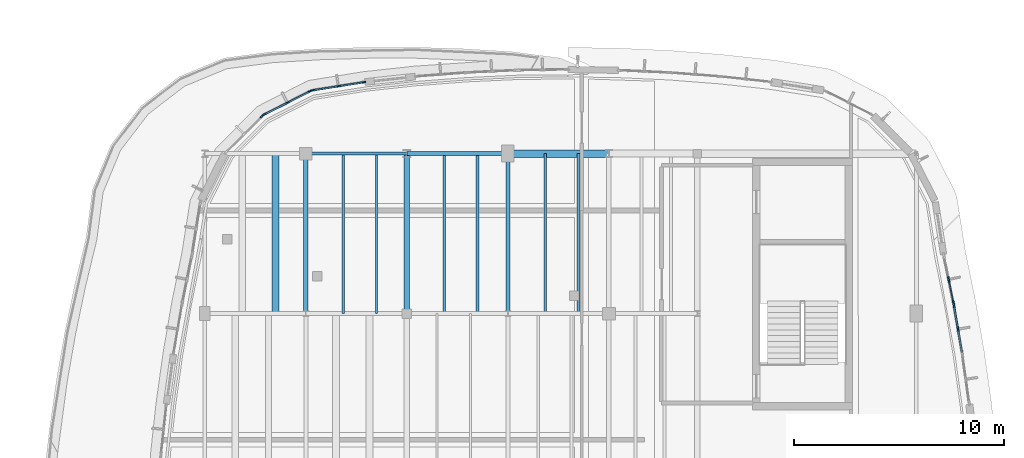
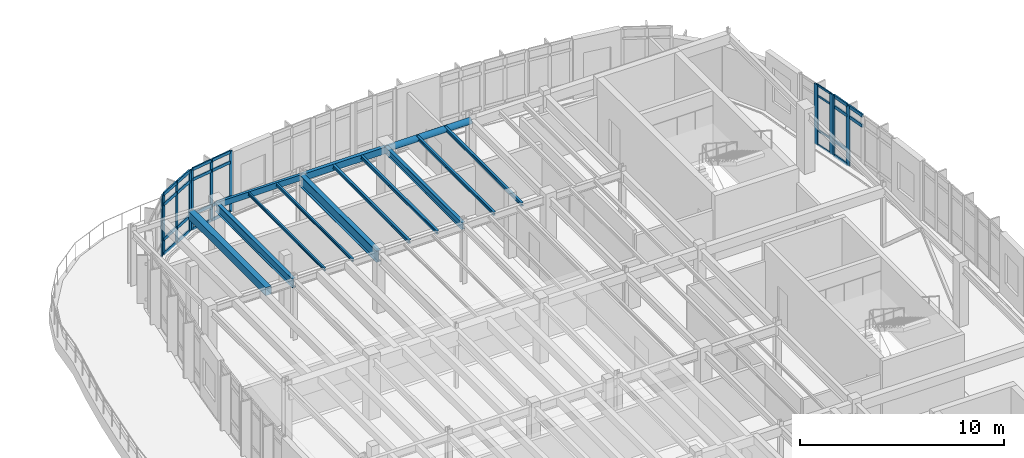
# One storey, part 54 of 111: 37 members, 13 beams, 5 elements without a shape of their own.
"""IFC4 building model written with IfcOpenShell, lengths in metres."""

from ifc_helpers import new_model, si_unit, direction, frame, origin, origin_2d, place, context, subcontext, project, spatial, rectangle, hollow_rectangle, hollow_circle, i_section, extrude, material, material_profile, profile_set, type_object, element, aggregate, save


model = new_model("IFC4")

# Units and contexts
model_context = context("Model", 3, precision=1e-05, world=origin(), true_north=direction((0.0, 1.0)))
body_context = subcontext(model_context, "Body", "Model", "MODEL_VIEW")
ifc_project = project(units=[si_unit("LENGTHUNIT", "METRE"), si_unit("AREAUNIT", "SQUARE_METRE"), si_unit("VOLUMEUNIT", "CUBIC_METRE"), si_unit("PLANEANGLEUNIT", "RADIAN"), si_unit("MASSUNIT", "GRAM", prefix="KILO")], contexts=[model_context])

# Site, building, storey
site_placement = place(None, origin())
site = spatial("IfcSite", under=ifc_project, at=site_placement, CompositionType="ELEMENT")
building_placement = place(site_placement, origin())
building = spatial("IfcBuilding", under=site, at=building_placement, Name="Corveleigh Park Community Centre", CompositionType="ELEMENT")
storey_placement = place(building_placement, frame((0.0, 0.0, 4.800048828125)))
storey = spatial("IfcBuildingStorey", under=building, at=storey_placement, Name="L01", CompositionType="ELEMENT", Elevation=4.800048828125)

# Beams
ifc_material_1 = material(Name="Concrete C40/50", Category="concrete")
ifc_material_profile_1 = material_profile(ifc_material_1, rectangle(XDim=0.324951171875, YDim=0.47509765625, at=origin_2d()), Name="RC-325x475", Category="concrete")
ifc_profile_set_1 = profile_set([ifc_material_profile_1], Name="Concrete C40/50")
beam_type_1 = type_object("IfcBeamType", Name="BM-RC-325x475", PredefinedType="JOIST", material=ifc_profile_set_1)
beam_1_placement = place(storey_placement, frame((137.9599609375, 96.60498046875, 3.37451171875), z_axis=(0.0, 1.0, 0.0), x_axis=(-1.0, 0.0, 0.0)))
element("IfcBeam", 1, at=beam_1_placement, inside=storey, type_object=beam_type_1, Name="Secondary floor joist", PredefinedType="JOIST", context=body_context, shape_type="SweptSolid", body=[
    extrude(rectangle(XDim=0.324951171875, YDim=0.47509765625, at=origin_2d()), origin(), (0.0, 0.0, 1.0), 7.590087890625),
])
ifc_material_2 = material(Name="Steel S355", Category="steel")
ifc_material_profile_2 = material_profile(ifc_material_2, i_section(OverallWidth=0.101318359375, OverallDepth=0.177734375, WebThickness=0.0048828125, FlangeThickness=0.0078125, at=origin_2d()), Name="UKB 178x102x19", Category="steel")
ifc_profile_set_2 = profile_set([ifc_material_profile_2], Name="Steel S355")
beam_type_2 = type_object("IfcBeamType", Name="BM-STL-UKB178x19", PredefinedType="JOIST", material=ifc_profile_set_2)
for number, where, z_axis, x_axis, name in (
    (2, (141.176025390625, 96.60498046875, 3.52294921875), (0.0, 1.0, 0.0), (-1.0, 0.0, 0.0), "Secondary floor joist"),
    (3, (142.760009765625, 96.60498046875, 3.52294921875), (0.0, 1.0, 0.0), (-1.0, 0.0, 0.0), "Secondary floor joist"),
):
    element("IfcBeam", number, at=place(storey_placement, frame(where, z_axis=z_axis, x_axis=x_axis)), inside=storey, type_object=beam_type_2, Name=name, PredefinedType="JOIST", context=body_context, shape_type="SweptSolid", body=[
        extrude(i_section(OverallWidth=0.101318359375, OverallDepth=0.177734375, WebThickness=0.0048828125, FlangeThickness=0.0078125, at=origin_2d()), origin(), (0.0, 0.0, 1.0), 7.590087890625),
    ])
ifc_material_profile_3 = material_profile(ifc_material_2, i_section(OverallWidth=0.13330078125, OverallDepth=0.203125, WebThickness=0.005615234375, FlangeThickness=0.0078125, at=origin_2d()), Name="UKB 203x133x25", Category="steel")
ifc_profile_set_3 = profile_set([ifc_material_profile_3], Name="Steel S355")
beam_type_3 = type_object("IfcBeamType", Name="BM-STL-UKB203x25", PredefinedType="JOIST", material=ifc_profile_set_3)
for number, where, z_axis, x_axis, name in (
    (4, (145.97607421875, 96.60498046875, 3.51025390625), (0.0, 1.0, 0.0), (-1.0, 0.0, 0.0), "Secondary floor joist"),
    (5, (147.56005859375, 96.60498046875, 3.51025390625), (0.0, 1.0, 0.0), (-1.0, 0.0, 0.0), "Secondary floor joist"),
):
    element("IfcBeam", number, at=place(storey_placement, frame(where, z_axis=z_axis, x_axis=x_axis)), inside=storey, type_object=beam_type_3, Name=name, PredefinedType="JOIST", context=body_context, shape_type="SweptSolid", body=[
        extrude(i_section(OverallWidth=0.13330078125, OverallDepth=0.203125, WebThickness=0.005615234375, FlangeThickness=0.0078125, at=origin_2d()), origin(), (0.0, 0.0, 1.0), 7.590087890625),
    ])
ifc_material_profile_4 = material_profile(ifc_material_2, i_section(OverallWidth=0.1337890625, OverallDepth=0.206787109375, WebThickness=0.00634765625, FlangeThickness=0.009521484375, at=origin_2d()), Name="UKB 203x133x30", Category="steel")
ifc_profile_set_4 = profile_set([ifc_material_profile_4], Name="Steel S355")
beam_type_4 = type_object("IfcBeamType", Name="BM-STL-UKB203x30", PredefinedType="JOIST", material=ifc_profile_set_4)
for number, where, z_axis, x_axis, name in (
    (6, (150.77587890625, 96.60498046875, 3.508544921875), (0.0, 1.0, 0.0), (-1.0, 0.0, 0.0), "Secondary floor joist"),
    (7, (152.360107421875, 96.60498046875, 3.508544921875), (0.0, 1.0, 0.0), (-1.0, 0.0, 0.0), "Secondary floor joist"),
):
    element("IfcBeam", number, at=place(storey_placement, frame(where, z_axis=z_axis, x_axis=x_axis)), inside=storey, type_object=beam_type_4, Name=name, PredefinedType="JOIST", context=body_context, shape_type="SweptSolid", body=[
        extrude(i_section(OverallWidth=0.1337890625, OverallDepth=0.206787109375, WebThickness=0.00634765625, FlangeThickness=0.009521484375, at=origin_2d()), origin(), (0.0, 0.0, 1.0), 7.590087890625),
    ])
ifc_material_profile_5 = material_profile(ifc_material_2, i_section(OverallWidth=0.179443359375, OverallDepth=0.412841796875, WebThickness=0.009521484375, FlangeThickness=0.01611328125, at=origin_2d()), Name="UKB 406x178x74", Category="steel")
ifc_profile_set_5 = profile_set([ifc_material_profile_5], Name="Steel S355")
beam_type_5 = type_object("IfcBeamType", Name="BM-STL-UKB406x74", PredefinedType="BEAM", material=ifc_profile_set_5)
beam_2_placement = place(storey_placement, frame((149.0, 96.60498046875, 3.405517578125), z_axis=(0.0, 1.0, 0.0), x_axis=(-1.0, 0.0, 0.0)))
element("IfcBeam", 8, at=beam_2_placement, inside=storey, type_object=beam_type_5, Name="V4 Girder Y", PredefinedType="BEAM", context=body_context, shape_type="SweptSolid", body=[
    extrude(i_section(OverallWidth=0.179443359375, OverallDepth=0.412841796875, WebThickness=0.009521484375, FlangeThickness=0.01611328125, at=origin_2d()), origin(), (0.0, 0.0, 1.0), 7.590087890625),
])
ifc_material_profile_6 = material_profile(ifc_material_2, i_section(OverallWidth=0.209228515625, OverallDepth=0.533203125, WebThickness=0.010009765625, FlangeThickness=0.015625, at=origin_2d()), Name="UKB 533x210x92", Category="steel")
ifc_profile_set_6 = profile_set([ifc_material_profile_6], Name="Steel S355")
beam_type_6 = type_object("IfcBeamType", Name="BM-STL-UKB533x92", PredefinedType="BEAM", material=ifc_profile_set_6)
beam_3_placement = place(storey_placement, frame((139.39990234375, 96.60498046875, 3.345458984375), z_axis=(0.0, 1.0, 0.0), x_axis=(-1.0, 0.0, 0.0)))
element("IfcBeam", 9, at=beam_3_placement, inside=storey, type_object=beam_type_6, Name="V4 Girder Y", PredefinedType="BEAM", context=body_context, shape_type="SweptSolid", body=[
    extrude(i_section(OverallWidth=0.209228515625, OverallDepth=0.533203125, WebThickness=0.010009765625, FlangeThickness=0.015625, at=origin_2d()), origin(), (0.0, 0.0, 1.0), 7.590087890625),
])
ifc_material_profile_7 = material_profile(ifc_material_2, i_section(OverallWidth=0.25439453125, OverallDepth=0.6875, WebThickness=0.01318359375, FlangeThickness=0.02099609375, at=origin_2d()), Name="UKB 686x254x152", Category="steel")
ifc_profile_set_7 = profile_set([ifc_material_profile_7], Name="Steel S355")
beam_type_7 = type_object("IfcBeamType", Name="BM-STL-UKB686x152", PredefinedType="BEAM", material=ifc_profile_set_7)
beam_4_placement = place(storey_placement, frame((144.199951171875, 96.60498046875, 3.268310546875), z_axis=(0.0, 1.0, 0.0), x_axis=(-1.0, 0.0, 0.0)))
element("IfcBeam", 10, at=beam_4_placement, inside=storey, type_object=beam_type_7, Name="V4 Girder Y", PredefinedType="BEAM", context=body_context, shape_type="SweptSolid", body=[
    extrude(i_section(OverallWidth=0.25439453125, OverallDepth=0.6875, WebThickness=0.01318359375, FlangeThickness=0.02099609375, at=origin_2d()), origin(), (0.0, 0.0, 1.0), 7.590087890625),
])

# Curtain wall, members
ifc_material_3 = material(Name="Anodised aluminium 6063-T6", Category="aluminium")
curtain_wall_type = type_object("IfcCurtainWallType", Name="CW-SYS-V4-L01", PredefinedType="NOTDEFINED", material=ifc_material_3)
curtain_wall_1_placement = place(storey_placement, origin())
curtain_wall_1 = element("IfcCurtainWall", 11, at=curtain_wall_1_placement, inside=storey, type_object=curtain_wall_type, Name="V4 L01 Curtain Wall 284", PredefinedType="NOTDEFINED")
ifc_material_profile_8 = material_profile(ifc_material_3, rectangle(XDim=0.06494140625, YDim=0.179931640625, at=origin_2d()), Name="ALU-M65x180", Category="aluminium")
ifc_profile_set_8 = profile_set([ifc_material_profile_8], Name="Anodised aluminium 6063-T6")
member_type_1 = type_object("IfcMemberType", Name="CWM-65x180", PredefinedType="MULLION", material=ifc_profile_set_8)
member_1_placement = place(storey_placement, frame((139.736083984375, 107.2099609375, 0.0), z_axis=(0.0, 0.0, 1.0), x_axis=(-0.156207498942, 0.987724261762, 0.0)))
member_1 = element("IfcMember", 12, at=member_1_placement, type_object=member_type_1, Name="CW08 mullion 1", PredefinedType="MULLION", context=body_context, shape_type="SweptSolid", body=[
    extrude(rectangle(XDim=0.06494140625, YDim=0.179931640625, at=origin_2d()), origin(), (0.0, 0.0, 1.0), 3.636962890625),
])
member_2_placement = place(storey_placement, frame((140.946533203125, 107.401611328125, 0.0), z_axis=(0.0, 0.0, 1.0), x_axis=(-0.156207498942, 0.987724261762, 0.0)))
member_2 = element("IfcMember", 13, at=member_2_placement, type_object=member_type_1, Name="CW08 mullion 2", PredefinedType="MULLION", context=body_context, shape_type="SweptSolid", body=[
    extrude(rectangle(XDim=0.06494140625, YDim=0.179931640625, at=origin_2d()), origin(), (0.0, 0.0, 1.0), 3.636962890625),
])
member_3_placement = place(storey_placement, frame((142.156982421875, 107.593017578125, 0.0), z_axis=(0.0, 0.0, 1.0), x_axis=(-0.156207498942, 0.987724261762, 0.0)))
member_3 = element("IfcMember", 14, at=member_3_placement, type_object=member_type_1, Name="CW08 mullion 3", PredefinedType="MULLION", context=body_context, shape_type="SweptSolid", body=[
    extrude(rectangle(XDim=0.06494140625, YDim=0.179931640625, at=origin_2d()), origin(), (0.0, 0.0, 1.0), 3.636962890625),
])

curtain_wall_2_placement = place(storey_placement, origin())
curtain_wall_2 = element("IfcCurtainWall", 15, at=curtain_wall_2_placement, inside=storey, type_object=curtain_wall_type, Name="V4 L01 Curtain Wall 285", PredefinedType="NOTDEFINED")
ifc_material_profile_9 = material_profile(ifc_material_3, rectangle(XDim=0.070068359375, YDim=0.199951171875, at=origin_2d()), Name="ALU-M70x200", Category="aluminium")
ifc_profile_set_9 = profile_set([ifc_material_profile_9], Name="Anodised aluminium 6063-T6")
member_type_2 = type_object("IfcMemberType", Name="CWM-70x200", PredefinedType="MULLION", material=ifc_profile_set_9)
member_4_placement = place(storey_placement, frame((137.445068359375, 106.06689453125, 0.0), z_axis=(0.0, 0.0, 1.0), x_axis=(-0.454268707511, 0.89086471553, 0.0)))
member_4 = element("IfcMember", 16, at=member_4_placement, type_object=member_type_2, Name="CW08 mullion 1", PredefinedType="MULLION", context=body_context, shape_type="SweptSolid", body=[
    extrude(rectangle(XDim=0.070068359375, YDim=0.199951171875, at=origin_2d()), origin(), (0.0, 0.0, 1.0), 3.636962890625),
])
member_5_placement = place(storey_placement, frame((138.52294921875, 106.616455078125, 0.0), z_axis=(0.0, 0.0, 1.0), x_axis=(-0.454268707511, 0.89086471553, 0.0)))
member_5 = element("IfcMember", 17, at=member_5_placement, type_object=member_type_2, Name="CW08 mullion 2", PredefinedType="MULLION", context=body_context, shape_type="SweptSolid", body=[
    extrude(rectangle(XDim=0.070068359375, YDim=0.199951171875, at=origin_2d()), origin(), (0.0, 0.0, 1.0), 3.636962890625),
])
member_6_placement = place(storey_placement, frame((139.600830078125, 107.166015625, 0.0), z_axis=(0.0, 0.0, 1.0), x_axis=(-0.454268707511, 0.89086471553, 0.0)))
member_6 = element("IfcMember", 18, at=member_6_placement, type_object=member_type_2, Name="CW08 mullion 3", PredefinedType="MULLION", context=body_context, shape_type="SweptSolid", body=[
    extrude(rectangle(XDim=0.070068359375, YDim=0.199951171875, at=origin_2d()), origin(), (0.0, 0.0, 1.0), 3.636962890625),
])

# Curtain wall, member
curtain_wall_3_placement = place(storey_placement, origin())
curtain_wall_3 = element("IfcCurtainWall", 19, at=curtain_wall_3_placement, inside=storey, type_object=curtain_wall_type, Name="V4 L01 Curtain Wall 286", PredefinedType="NOTDEFINED")
ifc_material_profile_10 = material_profile(ifc_material_3, rectangle(XDim=0.074951171875, YDim=0.219970703125, at=origin_2d()), Name="ALU-M75x220", Category="aluminium")
ifc_profile_set_10 = profile_set([ifc_material_profile_10], Name="Anodised aluminium 6063-T6")
member_type_3 = type_object("IfcMemberType", Name="CWM-75x220", PredefinedType="MULLION", material=ifc_profile_set_10)
member_7_placement = place(storey_placement, frame((137.326416015625, 105.98046875, 0.0), z_axis=(0.0, 0.0, 1.0), x_axis=(-0.707106781187, 0.707106781187, 0.0)))
member_7 = element("IfcMember", 20, at=member_7_placement, type_object=member_type_3, Name="CW08 mullion 3", PredefinedType="MULLION", context=body_context, shape_type="SweptSolid", body=[
    extrude(rectangle(XDim=0.074951171875, YDim=0.219970703125, at=origin_2d()), origin(), (0.0, 0.0, 1.0), 3.636962890625),
])
aggregate(curtain_wall_3, [member_7])

# Curtain wall, members
curtain_wall_4_placement = place(storey_placement, origin())
curtain_wall_4 = element("IfcCurtainWall", 21, at=curtain_wall_4_placement, inside=storey, type_object=curtain_wall_type, Name="V4 L01 Curtain Wall 275", PredefinedType="NOTDEFINED")
ifc_material_profile_11 = material_profile(ifc_material_3, rectangle(XDim=0.080078125, YDim=0.25, at=origin_2d()), Name="ALU-M80x250", Category="aluminium")
ifc_profile_set_11 = profile_set([ifc_material_profile_11], Name="Anodised aluminium 6063-T6")
member_type_4 = type_object("IfcMemberType", Name="CWM-80x250", PredefinedType="MULLION", material=ifc_profile_set_11)
member_8_placement = place(storey_placement, frame((170.189697265625, 96.99560546875, 0.0), z_axis=(0.0, 0.0, 1.0), x_axis=(0.985554357724, 0.16935940473, 0.0)))
member_8 = element("IfcMember", 22, at=member_8_placement, type_object=member_type_4, Name="CW08 mullion 1", PredefinedType="MULLION", context=body_context, shape_type="SweptSolid", body=[
    extrude(rectangle(XDim=0.080078125, YDim=0.25, at=origin_2d()), origin(), (0.0, 0.0, 1.0), 3.612060546875),
])
member_9_placement = place(storey_placement, frame((170.385009765625, 95.859619140625, 0.0), z_axis=(0.0, 0.0, 1.0), x_axis=(0.985554357724, 0.16935940473, 0.0)))
member_9 = element("IfcMember", 23, at=member_9_placement, type_object=member_type_4, Name="CW08 mullion 2", PredefinedType="MULLION", context=body_context, shape_type="SweptSolid", body=[
    extrude(rectangle(XDim=0.080078125, YDim=0.25, at=origin_2d()), origin(), (0.0, 0.0, 1.0), 3.612060546875),
])

curtain_wall_5_placement = place(storey_placement, origin())
curtain_wall_5 = element("IfcCurtainWall", 24, at=curtain_wall_5_placement, inside=storey, type_object=curtain_wall_type, Name="V4 L01 Curtain Wall 276", PredefinedType="NOTDEFINED")
ifc_material_profile_12 = material_profile(ifc_material_3, rectangle(XDim=0.0849609375, YDim=0.27490234375, at=origin_2d()), Name="ALU-M85x275", Category="aluminium")
ifc_profile_set_12 = profile_set([ifc_material_profile_12], Name="Anodised aluminium 6063-T6")
member_type_5 = type_object("IfcMemberType", Name="CWM-85x275", PredefinedType="MULLION", material=ifc_profile_set_12)
member_10_placement = place(storey_placement, frame((169.9404296875, 98.221435546875, 0.0), z_axis=(0.0, 0.0, 1.0), x_axis=(0.979799029422, 0.19998465427, 0.0)))
member_10 = element("IfcMember", 25, at=member_10_placement, type_object=member_type_5, Name="CW08 mullion 2", PredefinedType="MULLION", context=body_context, shape_type="SweptSolid", body=[
    extrude(rectangle(XDim=0.0849609375, YDim=0.27490234375, at=origin_2d()), origin(), (0.0, 0.0, 1.0), 3.612060546875),
])
member_11_placement = place(storey_placement, frame((170.17041015625, 97.0947265625, 0.0), z_axis=(0.0, 0.0, 1.0), x_axis=(0.979799029422, 0.19998465427, 0.0)))
member_11 = element("IfcMember", 26, at=member_11_placement, type_object=member_type_5, Name="CW08 mullion 3", PredefinedType="MULLION", context=body_context, shape_type="SweptSolid", body=[
    extrude(rectangle(XDim=0.0849609375, YDim=0.27490234375, at=origin_2d()), origin(), (0.0, 0.0, 1.0), 3.612060546875),
])
ifc_material_profile_13 = material_profile(ifc_material_3, rectangle(XDim=0.06005859375, YDim=0.1201171875, at=origin_2d()), Name="ALU-T60x120", Category="aluminium")
ifc_profile_set_13 = profile_set([ifc_material_profile_13], Name="Anodised aluminium 6063-T6")
member_type_6 = type_object("IfcMemberType", Name="CWT-60x120", PredefinedType="USERDEFINED", material=ifc_profile_set_13)
member_12_placement = place(storey_placement, frame((169.948974609375, 98.179931640625, 0.030029296875), z_axis=(0.200081248335, -0.979779308857, 0.0), x_axis=(0.979779308857, 0.200081248335, 0.0)))
member_12 = element("IfcMember", 27, at=member_12_placement, type_object=member_type_6, Name="CW08 transom 2.1", ObjectType="TRANSOM", PredefinedType="USERDEFINED", context=body_context, shape_type="SweptSolid", body=[
    extrude(rectangle(XDim=0.06005859375, YDim=0.1201171875, at=origin_2d()), origin(), (0.0, 0.0, 1.0), 1.065185546875),
])
member_13_placement = place(storey_placement, frame((169.948974609375, 98.179931640625, 0.89990234375), z_axis=(0.200081248335, -0.979779308857, 0.0), x_axis=(0.979779308857, 0.200081248335, 0.0)))
member_13 = element("IfcMember", 28, at=member_13_placement, type_object=member_type_6, Name="CW08 transom 2.2", ObjectType="TRANSOM", PredefinedType="USERDEFINED", context=body_context, shape_type="SweptSolid", body=[
    extrude(rectangle(XDim=0.06005859375, YDim=0.1201171875, at=origin_2d()), origin(), (0.0, 0.0, 1.0), 1.065185546875),
])
member_14_placement = place(storey_placement, frame((169.948974609375, 98.179931640625, 2.9619140625), z_axis=(0.200081248335, -0.979779308857, 0.0), x_axis=(0.979779308857, 0.200081248335, 0.0)))
member_14 = element("IfcMember", 29, at=member_14_placement, type_object=member_type_6, Name="CW08 transom 2.3", ObjectType="TRANSOM", PredefinedType="USERDEFINED", context=body_context, shape_type="SweptSolid", body=[
    extrude(rectangle(XDim=0.06005859375, YDim=0.1201171875, at=origin_2d()), origin(), (0.0, 0.0, 1.0), 1.065185546875),
])
member_15_placement = place(storey_placement, frame((169.948974609375, 98.179931640625, 3.58203125), z_axis=(0.200081248335, -0.979779308857, 0.0), x_axis=(0.979779308857, 0.200081248335, 0.0)))
member_15 = element("IfcMember", 30, at=member_15_placement, type_object=member_type_6, Name="CW08 transom 2.4", ObjectType="TRANSOM", PredefinedType="USERDEFINED", context=body_context, shape_type="SweptSolid", body=[
    extrude(rectangle(XDim=0.06005859375, YDim=0.1201171875, at=origin_2d()), origin(), (0.0, 0.0, 1.0), 1.065185546875),
])
aggregate(curtain_wall_5, [member_10, member_11, member_12, member_13, member_14, member_15])

# Member
ifc_material_profile_14 = material_profile(ifc_material_3, rectangle(XDim=0.074951171875, YDim=0.175048828125, at=origin_2d()), Name="ALU-T75x175", Category="aluminium")
ifc_profile_set_14 = profile_set([ifc_material_profile_14], Name="Anodised aluminium 6063-T6")
member_type_7 = type_object("IfcMemberType", Name="CWT-75x175", PredefinedType="USERDEFINED", material=ifc_profile_set_14)
member_16_placement = place(storey_placement, frame((139.768310546875, 107.215087890625, 0.037353515625), z_axis=(0.98770317965, 0.156340746161, 0.0), x_axis=(-0.156340746161, 0.98770317965, 0.0)))
member_16 = element("IfcMember", 31, at=member_16_placement, type_object=member_type_7, Name="CW08 transom 1.1", ObjectType="TRANSOM", PredefinedType="USERDEFINED", context=body_context, shape_type="SweptSolid", body=[
    extrude(rectangle(XDim=0.074951171875, YDim=0.175048828125, at=origin_2d()), origin(), (0.0, 0.0, 1.0), 1.16015625),
])

member_17_placement = place(storey_placement, frame((139.768310546875, 107.215087890625, 0.89990234375), z_axis=(0.98770317965, 0.156340746161, 0.0), x_axis=(-0.156340746161, 0.98770317965, 0.0)))
member_17 = element("IfcMember", 32, at=member_17_placement, type_object=member_type_7, Name="CW08 transom 1.2", ObjectType="TRANSOM", PredefinedType="USERDEFINED", context=body_context, shape_type="SweptSolid", body=[
    extrude(rectangle(XDim=0.074951171875, YDim=0.175048828125, at=origin_2d()), origin(), (0.0, 0.0, 1.0), 1.16015625),
])

member_18_placement = place(storey_placement, frame((139.768310546875, 107.215087890625, 2.987060546875), z_axis=(0.98770317965, 0.156340746161, 0.0), x_axis=(-0.156340746161, 0.98770317965, 0.0)))
member_18 = element("IfcMember", 33, at=member_18_placement, type_object=member_type_7, Name="CW08 transom 1.3", ObjectType="TRANSOM", PredefinedType="USERDEFINED", context=body_context, shape_type="SweptSolid", body=[
    extrude(rectangle(XDim=0.074951171875, YDim=0.175048828125, at=origin_2d()), origin(), (0.0, 0.0, 1.0), 1.16015625),
])

member_19_placement = place(storey_placement, frame((139.768310546875, 107.215087890625, 3.599365234375), z_axis=(0.98770317965, 0.156340746161, 0.0), x_axis=(-0.156340746161, 0.98770317965, 0.0)))
member_19 = element("IfcMember", 34, at=member_19_placement, type_object=member_type_7, Name="CW08 transom 1.4", ObjectType="TRANSOM", PredefinedType="USERDEFINED", context=body_context, shape_type="SweptSolid", body=[
    extrude(rectangle(XDim=0.074951171875, YDim=0.175048828125, at=origin_2d()), origin(), (0.0, 0.0, 1.0), 1.16015625),
])

member_20_placement = place(storey_placement, frame((140.978515625, 107.406494140625, 0.037353515625), z_axis=(0.987708321179, 0.156308260412, 0.0), x_axis=(-0.156308260412, 0.987708321179, 0.0)))
member_20 = element("IfcMember", 35, at=member_20_placement, type_object=member_type_7, Name="CW08 transom 2.1", ObjectType="TRANSOM", PredefinedType="USERDEFINED", context=body_context, shape_type="SweptSolid", body=[
    extrude(rectangle(XDim=0.074951171875, YDim=0.175048828125, at=origin_2d()), origin(), (0.0, 0.0, 1.0), 1.160400390625),
])

member_21_placement = place(storey_placement, frame((140.978515625, 107.406494140625, 0.89990234375), z_axis=(0.987708321179, 0.156308260412, 0.0), x_axis=(-0.156308260412, 0.987708321179, 0.0)))
member_21 = element("IfcMember", 36, at=member_21_placement, type_object=member_type_7, Name="CW08 transom 2.2", ObjectType="TRANSOM", PredefinedType="USERDEFINED", context=body_context, shape_type="SweptSolid", body=[
    extrude(rectangle(XDim=0.074951171875, YDim=0.175048828125, at=origin_2d()), origin(), (0.0, 0.0, 1.0), 1.160400390625),
])

member_22_placement = place(storey_placement, frame((140.978515625, 107.406494140625, 2.987060546875), z_axis=(0.987708321179, 0.156308260412, 0.0), x_axis=(-0.156308260412, 0.987708321179, 0.0)))
member_22 = element("IfcMember", 37, at=member_22_placement, type_object=member_type_7, Name="CW08 transom 2.3", ObjectType="TRANSOM", PredefinedType="USERDEFINED", context=body_context, shape_type="SweptSolid", body=[
    extrude(rectangle(XDim=0.074951171875, YDim=0.175048828125, at=origin_2d()), origin(), (0.0, 0.0, 1.0), 1.160400390625),
])

member_23_placement = place(storey_placement, frame((140.978515625, 107.406494140625, 3.599365234375), z_axis=(0.987708321179, 0.156308260412, 0.0), x_axis=(-0.156308260412, 0.987708321179, 0.0)))
member_23 = element("IfcMember", 38, at=member_23_placement, type_object=member_type_7, Name="CW08 transom 2.4", ObjectType="TRANSOM", PredefinedType="USERDEFINED", context=body_context, shape_type="SweptSolid", body=[
    extrude(rectangle(XDim=0.074951171875, YDim=0.175048828125, at=origin_2d()), origin(), (0.0, 0.0, 1.0), 1.160400390625),
])

aggregate(curtain_wall_1, [member_1, member_2, member_3, member_16, member_17, member_18, member_19, member_20, member_21, member_22, member_23])

ifc_material_profile_15 = material_profile(ifc_material_3, rectangle(XDim=0.080078125, YDim=0.195068359375, at=origin_2d()), Name="ALU-T80x195", Category="aluminium")
ifc_profile_set_15 = profile_set([ifc_material_profile_15], Name="Anodised aluminium 6063-T6")
member_type_8 = type_object("IfcMemberType", Name="CWT-80x195", PredefinedType="USERDEFINED", material=ifc_profile_set_15)
member_24_placement = place(storey_placement, frame((170.196533203125, 96.9560546875, 0.0400390625), z_axis=(0.169342854053, -0.985557201679, 0.0), x_axis=(0.985557201679, 0.169342854053, 0.0)))
member_24 = element("IfcMember", 39, at=member_24_placement, type_object=member_type_8, Name="CW08 transom 1.1", ObjectType="TRANSOM", PredefinedType="USERDEFINED", context=body_context, shape_type="SweptSolid", body=[
    extrude(rectangle(XDim=0.080078125, YDim=0.195068359375, at=origin_2d()), origin(), (0.0, 0.0, 1.0), 1.072509765625),
])

member_25_placement = place(storey_placement, frame((170.196533203125, 96.9560546875, 0.89990234375), z_axis=(0.169342854053, -0.985557201679, 0.0), x_axis=(0.985557201679, 0.169342854053, 0.0)))
member_25 = element("IfcMember", 40, at=member_25_placement, type_object=member_type_8, Name="CW08 transom 1.2", ObjectType="TRANSOM", PredefinedType="USERDEFINED", context=body_context, shape_type="SweptSolid", body=[
    extrude(rectangle(XDim=0.080078125, YDim=0.195068359375, at=origin_2d()), origin(), (0.0, 0.0, 1.0), 1.072509765625),
])

member_26_placement = place(storey_placement, frame((170.196533203125, 96.9560546875, 2.9619140625), z_axis=(0.169342854053, -0.985557201679, 0.0), x_axis=(0.985557201679, 0.169342854053, 0.0)))
member_26 = element("IfcMember", 41, at=member_26_placement, type_object=member_type_8, Name="CW08 transom 1.3", ObjectType="TRANSOM", PredefinedType="USERDEFINED", context=body_context, shape_type="SweptSolid", body=[
    extrude(rectangle(XDim=0.080078125, YDim=0.195068359375, at=origin_2d()), origin(), (0.0, 0.0, 1.0), 1.072509765625),
])

member_27_placement = place(storey_placement, frame((170.196533203125, 96.9560546875, 3.572021484375), z_axis=(0.169342854053, -0.985557201679, 0.0), x_axis=(0.985557201679, 0.169342854053, 0.0)))
member_27 = element("IfcMember", 42, at=member_27_placement, type_object=member_type_8, Name="CW08 transom 1.4", ObjectType="TRANSOM", PredefinedType="USERDEFINED", context=body_context, shape_type="SweptSolid", body=[
    extrude(rectangle(XDim=0.080078125, YDim=0.195068359375, at=origin_2d()), origin(), (0.0, 0.0, 1.0), 1.072509765625),
])

member_28_placement = place(storey_placement, frame((170.391845703125, 95.820068359375, 2.9619140625), z_axis=(0.169342854053, -0.985557201679, 0.0), x_axis=(0.985557201679, 0.169342854053, 0.0)))
member_28 = element("IfcMember", 43, at=member_28_placement, type_object=member_type_8, Name="CW08 transom 2.3", ObjectType="TRANSOM", PredefinedType="USERDEFINED", context=body_context, shape_type="SweptSolid", body=[
    extrude(rectangle(XDim=0.080078125, YDim=0.195068359375, at=origin_2d()), origin(), (0.0, 0.0, 1.0), 1.072509765625),
])

member_29_placement = place(storey_placement, frame((170.391845703125, 95.820068359375, 3.572021484375), z_axis=(0.169342854053, -0.985557201679, 0.0), x_axis=(0.985557201679, 0.169342854053, 0.0)))
member_29 = element("IfcMember", 44, at=member_29_placement, type_object=member_type_8, Name="CW08 transom 2.4", ObjectType="TRANSOM", PredefinedType="USERDEFINED", context=body_context, shape_type="SweptSolid", body=[
    extrude(rectangle(XDim=0.080078125, YDim=0.195068359375, at=origin_2d()), origin(), (0.0, 0.0, 1.0), 1.072509765625),
])

aggregate(curtain_wall_4, [member_8, member_9, member_24, member_25, member_26, member_27, member_28, member_29])

member_30_placement = place(storey_placement, frame((137.476318359375, 106.082763671875, 0.0400390625), z_axis=(0.890843258585, 0.454310784193, 0.0), x_axis=(-0.454310784193, 0.890843258585, 0.0)))
member_30 = element("IfcMember", 45, at=member_30_placement, type_object=member_type_8, Name="CW08 transom 1.1", ObjectType="TRANSOM", PredefinedType="USERDEFINED", context=body_context, shape_type="SweptSolid", body=[
    extrude(rectangle(XDim=0.080078125, YDim=0.195068359375, at=origin_2d()), origin(), (0.0, 0.0, 1.0), 1.139892578125),
])

member_31_placement = place(storey_placement, frame((137.476318359375, 106.082763671875, 0.89990234375), z_axis=(0.890843258585, 0.454310784193, 0.0), x_axis=(-0.454310784193, 0.890843258585, 0.0)))
member_31 = element("IfcMember", 46, at=member_31_placement, type_object=member_type_8, Name="CW08 transom 1.2", ObjectType="TRANSOM", PredefinedType="USERDEFINED", context=body_context, shape_type="SweptSolid", body=[
    extrude(rectangle(XDim=0.080078125, YDim=0.195068359375, at=origin_2d()), origin(), (0.0, 0.0, 1.0), 1.139892578125),
])

member_32_placement = place(storey_placement, frame((137.476318359375, 106.082763671875, 2.987060546875), z_axis=(0.890843258585, 0.454310784193, 0.0), x_axis=(-0.454310784193, 0.890843258585, 0.0)))
member_32 = element("IfcMember", 47, at=member_32_placement, type_object=member_type_8, Name="CW08 transom 1.3", ObjectType="TRANSOM", PredefinedType="USERDEFINED", context=body_context, shape_type="SweptSolid", body=[
    extrude(rectangle(XDim=0.080078125, YDim=0.195068359375, at=origin_2d()), origin(), (0.0, 0.0, 1.0), 1.139892578125),
])

member_33_placement = place(storey_placement, frame((137.476318359375, 106.082763671875, 3.596923828125), z_axis=(0.890843258585, 0.454310784193, 0.0), x_axis=(-0.454310784193, 0.890843258585, 0.0)))
member_33 = element("IfcMember", 48, at=member_33_placement, type_object=member_type_8, Name="CW08 transom 1.4", ObjectType="TRANSOM", PredefinedType="USERDEFINED", context=body_context, shape_type="SweptSolid", body=[
    extrude(rectangle(XDim=0.080078125, YDim=0.195068359375, at=origin_2d()), origin(), (0.0, 0.0, 1.0), 1.139892578125),
])

member_34_placement = place(storey_placement, frame((138.55419921875, 106.63232421875, 0.0400390625), z_axis=(0.890843258585, 0.454310784193, 0.0), x_axis=(-0.454310784193, 0.890843258585, 0.0)))
member_34 = element("IfcMember", 49, at=member_34_placement, type_object=member_type_8, Name="CW08 transom 2.1", ObjectType="TRANSOM", PredefinedType="USERDEFINED", context=body_context, shape_type="SweptSolid", body=[
    extrude(rectangle(XDim=0.080078125, YDim=0.195068359375, at=origin_2d()), origin(), (0.0, 0.0, 1.0), 1.139892578125),
])

member_35_placement = place(storey_placement, frame((138.55419921875, 106.63232421875, 0.89990234375), z_axis=(0.890843258585, 0.454310784193, 0.0), x_axis=(-0.454310784193, 0.890843258585, 0.0)))
member_35 = element("IfcMember", 50, at=member_35_placement, type_object=member_type_8, Name="CW08 transom 2.2", ObjectType="TRANSOM", PredefinedType="USERDEFINED", context=body_context, shape_type="SweptSolid", body=[
    extrude(rectangle(XDim=0.080078125, YDim=0.195068359375, at=origin_2d()), origin(), (0.0, 0.0, 1.0), 1.139892578125),
])

member_36_placement = place(storey_placement, frame((138.55419921875, 106.63232421875, 2.987060546875), z_axis=(0.890843258585, 0.454310784193, 0.0), x_axis=(-0.454310784193, 0.890843258585, 0.0)))
member_36 = element("IfcMember", 51, at=member_36_placement, type_object=member_type_8, Name="CW08 transom 2.3", ObjectType="TRANSOM", PredefinedType="USERDEFINED", context=body_context, shape_type="SweptSolid", body=[
    extrude(rectangle(XDim=0.080078125, YDim=0.195068359375, at=origin_2d()), origin(), (0.0, 0.0, 1.0), 1.139892578125),
])

member_37_placement = place(storey_placement, frame((138.55419921875, 106.63232421875, 3.596923828125), z_axis=(0.890843258585, 0.454310784193, 0.0), x_axis=(-0.454310784193, 0.890843258585, 0.0)))
member_37 = element("IfcMember", 52, at=member_37_placement, type_object=member_type_8, Name="CW08 transom 2.4", ObjectType="TRANSOM", PredefinedType="USERDEFINED", context=body_context, shape_type="SweptSolid", body=[
    extrude(rectangle(XDim=0.080078125, YDim=0.195068359375, at=origin_2d()), origin(), (0.0, 0.0, 1.0), 1.139892578125),
])

aggregate(curtain_wall_2, [member_4, member_5, member_6, member_30, member_31, member_32, member_33, member_34, member_35, member_36, member_37])

# Beams
ifc_material_profile_16 = material_profile(ifc_material_2, hollow_circle(Radius=0.177734375, WallThickness=0.01611328125, at=origin_2d()), Name="CHS 355.6x16.0", Category="steel")
ifc_profile_set_16 = profile_set([ifc_material_profile_16], Name="Steel S355")
beam_type_8 = type_object("IfcBeamType", Name="SP-STL-CHS356R", PredefinedType="SPANDREL", material=ifc_profile_set_16)
beam_5_placement = place(storey_placement, frame((149.0048828125, 104.199951171875, 3.43408203125), z_axis=(1.0, 0.0, 0.0), x_axis=(0.0, 1.0, 0.0)))
element("IfcBeam", 53, at=beam_5_placement, inside=storey, type_object=beam_type_8, Name="V4 Girder X", PredefinedType="SPANDREL", context=body_context, shape_type="SweptSolid", body=[
    extrude(hollow_circle(Radius=0.177734375, WallThickness=0.01611328125, at=origin_2d()), origin(), (0.0, 0.0, 1.0), 4.7900390625),
])
ifc_material_profile_17 = material_profile(ifc_material_2, hollow_rectangle(XDim=0.14990234375, YDim=0.35009765625, WallThickness=0.012451171875, at=origin_2d()), Name="RHS 350x150x12.5", Category="steel")
ifc_profile_set_17 = profile_set([ifc_material_profile_17], Name="Steel S355")
beam_type_9 = type_object("IfcBeamType", Name="SP-STL-RHS350x150", PredefinedType="SPANDREL", material=ifc_profile_set_17)
beam_6_placement = place(storey_placement, frame((139.405029296875, 104.199951171875, 3.43701171875), z_axis=(1.0, 0.0, 0.0), x_axis=(0.0, 1.0, 0.0)))
element("IfcBeam", 54, at=beam_6_placement, inside=storey, type_object=beam_type_9, Name="V4 Girder X", PredefinedType="SPANDREL", context=body_context, shape_type="SweptSolid", body=[
    extrude(hollow_rectangle(XDim=0.14990234375, YDim=0.35009765625, WallThickness=0.012451171875, at=origin_2d()), origin(), (0.0, 0.0, 1.0), 4.7900390625),
])
ifc_material_profile_18 = material_profile(ifc_material_2, hollow_rectangle(XDim=0.199951171875, YDim=0.39990234375, WallThickness=0.012451171875, at=origin_2d()), Name="RHS 400x200x12.5", Category="steel")
ifc_profile_set_18 = profile_set([ifc_material_profile_18], Name="Steel S355")
beam_type_10 = type_object("IfcBeamType", Name="SP-STL-RHS400x200", PredefinedType="SPANDREL", material=ifc_profile_set_18)
beam_7_placement = place(storey_placement, frame((144.205078125, 104.199951171875, 3.411865234375), z_axis=(1.0, 0.0, 0.0), x_axis=(0.0, 1.0, 0.0)))
element("IfcBeam", 55, at=beam_7_placement, inside=storey, type_object=beam_type_10, Name="V4 Girder X", PredefinedType="SPANDREL", context=body_context, shape_type="SweptSolid", body=[
    extrude(hollow_rectangle(XDim=0.199951171875, YDim=0.39990234375, WallThickness=0.012451171875, at=origin_2d()), origin(), (0.0, 0.0, 1.0), 4.7900390625),
])

save(model, "model.ifc")
